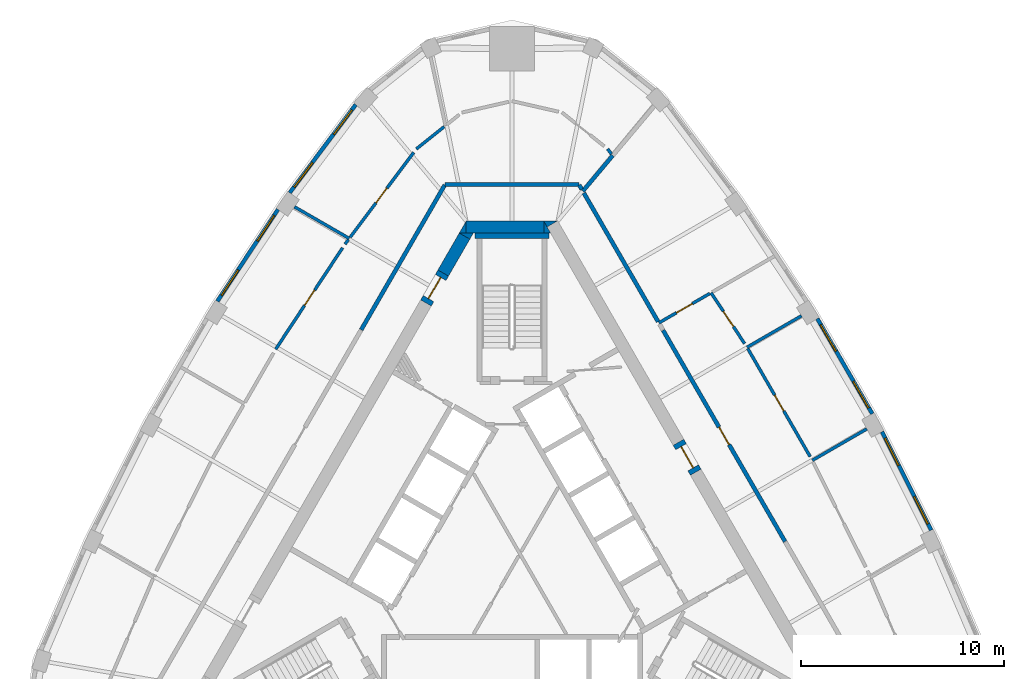
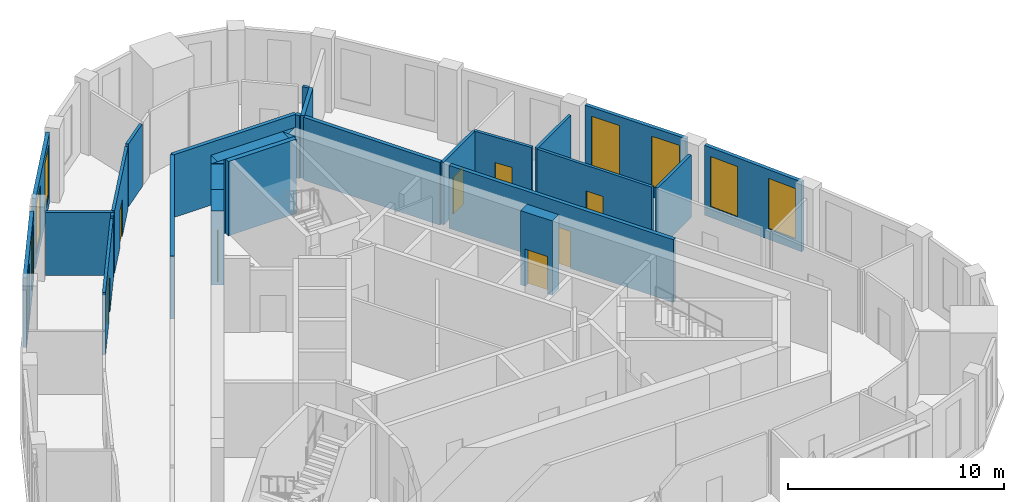
# One storey, part 8 of 10: 30 walls, 8 doors, 8 windows, 16 openings.
"""IFC4 building model written with IfcOpenShell, lengths in metres."""

from ifc_helpers import new_model, si_unit, direction, frame, frame_2d, origin, place, context, subcontext, project, spatial, polyline, rectangle, outline, extrude, material, layer, layer_set, type_object, element, fill, save


model = new_model("IFC4")

# Units and contexts
model_context = context("Model", 3, precision=1e-05, world=origin(), true_north=direction((0.0, 1.0)))
body_context = subcontext(model_context, "Body", "Model", "MODEL_VIEW")
ifc_project = project(units=[si_unit("LENGTHUNIT", "METRE"), si_unit("AREAUNIT", "SQUARE_METRE"), si_unit("VOLUMEUNIT", "CUBIC_METRE"), si_unit("PLANEANGLEUNIT", "RADIAN"), si_unit("MASSUNIT", "GRAM", prefix="KILO")], contexts=[model_context])

# Site, building, storey
site_placement = place(None, origin())
site = spatial("IfcSite", under=ifc_project, at=site_placement, CompositionType="ELEMENT")
building_placement = place(site_placement, origin())
building = spatial("IfcBuilding", under=site, at=building_placement, Name="Mestral Congress Tower", CompositionType="ELEMENT")
storey_placement = place(building_placement, frame((0.0, 0.0, 271.199951171875)))
storey = spatial("IfcBuildingStorey", under=building, at=storey_placement, Name="L63", CompositionType="ELEMENT", Elevation=271.199951171875)

# Walls
ifc_material_1 = material(Name="Concrete C60/75", Category="concrete")
ifc_layer_1 = layer(ifc_material_1, 0.60009765625)
ifc_layer_set_1 = layer_set([ifc_layer_1], Name="Concrete C60/75")
wall_type_1 = type_object("IfcWallType", Name="Core wall RC 600", PredefinedType="SOLIDWALL", material=ifc_layer_set_1)
placement = place(storey_placement, origin())
element("IfcWall", 1, at=placement, inside=storey, type_object=wall_type_1, Name="L63 core wall", PredefinedType="SOLIDWALL", context=body_context, shape_type="SweptSolid", body=[
    extrude(outline(polyline([(1.558837890625, 16.60009765625), (2.23486328125, 16.60009765625), (1.727783203125, 16.307373046875), (1.558837890625, 16.60009765625)])), origin(), (0.0, 0.0, 1.0), 4.199951171875),
])
wall_2_placement = place(storey_placement, frame((-2.258056640625, 16.300048828125, 0.0), z_axis=(0.0, 0.0, 1.0), x_axis=(1.0, 0.0, 0.0)))
element("IfcWall", 2, at=wall_2_placement, inside=storey, type_object=wall_type_1, Name="L63 core wall", PredefinedType="SOLIDWALL", context=body_context, shape_type="SweptSolid", body=[
    extrude(rectangle(XDim=3.8232421875, YDim=0.60009765625, at=frame_2d((1.91162109375, 0.0))), origin(), (0.0, 0.0, 1.0), 4.199951171875),
])
element("IfcWall", 3, at=placement, inside=storey, type_object=wall_type_1, Name="L63 core wall", PredefinedType="SOLIDWALL", context=body_context, shape_type="SweptSolid", body=[
    extrude(outline(polyline([(1.9052734375, 16.0), (1.5673828125, 16.0), (1.5673828125, 16.58544921875), (1.9052734375, 16.0)])), origin(), (0.0, 0.0, 1.0), 4.199951171875),
])
element("IfcWall", 4, at=placement, inside=storey, type_object=wall_type_1, Name="L63 core wall", PredefinedType="SOLIDWALL", context=body_context, shape_type="SweptSolid", body=[
    extrude(outline(polyline([(-2.59814453125, 16.0), (-2.260009765625, 16.58544921875), (-2.260009765625, 16.0), (-2.59814453125, 16.0)])), origin(), (0.0, 0.0, 1.0), 4.199951171875),
])
wall_5_placement = place(storey_placement, frame((-2.335205078125, 15.85546875, 0.0), z_axis=(0.0, 0.0, 1.0), x_axis=(-0.499980971027, -0.866036389889, 0.0)))
element("IfcWall", 5, at=wall_5_placement, inside=storey, type_object=wall_type_1, Name="L63 core wall", PredefinedType="SOLIDWALL", context=body_context, shape_type="SweptSolid", body=[
    extrude(rectangle(XDim=2.09814453125, YDim=0.60009765625, at=frame_2d((1.049072265625, 0.0))), origin(), (0.0, 0.0, 1.0), 4.199951171875),
])
element("IfcWall", 6, at=placement, inside=storey, type_object=wall_type_1, Name="L63 core wall", PredefinedType="SOLIDWALL", context=body_context, shape_type="SweptSolid", body=[
    extrude(outline(polyline([(-1.9052734375, 16.0), (-2.07421875, 15.707275390625), (-2.581298828125, 16.0), (-1.9052734375, 16.0)])), origin(), (0.0, 0.0, 1.0), 4.199951171875),
])

# Wall, opening, door
wall_7_placement = place(storey_placement, frame((-4.234375, 12.56591796875, 0.0), z_axis=(0.0, 0.0, 1.0), x_axis=(0.500000056704, 0.866025371046, 0.0)))
wall_7 = element("IfcWall", 7, at=wall_7_placement, inside=storey, type_object=wall_type_1, Name="L63 door wall", PredefinedType="SOLIDWALL", context=body_context, shape_type="SweptSolid", body=[
    extrude(rectangle(XDim=1.7001953125, YDim=0.60009765625, at=frame_2d((0.85009765625, 0.0))), origin(), (0.0, 0.0, 1.0), 4.199951171875),
])
opening_1_placement = place(wall_7_placement, frame((0.25, 0.0, 0.0)))
opening_1 = element("IfcOpeningElement", 8, at=opening_1_placement, cuts=wall_7, Name="Opening XD2", PredefinedType="OPENING", context=body_context, shape_type="SweptSolid", body=[
    extrude(rectangle(XDim=1.199951171875, YDim=2.10009765625, at=frame_2d((0.60009765625, 1.050048828125))), frame((0.0, 0.31005859375, 0.0), z_axis=(0.0, -1.0, 0.0), x_axis=(1.0, 0.0, 0.0)), (0.0, 0.0, 1.0), 0.6201171875),
])
ifc_material_2 = material(Name="Fire-rated steel door set", Category="steel")
door_type_1 = type_object("IfcDoorType", Name="Core door XD 1200x2100", OperationType="SINGLE_SWING_LEFT", PredefinedType="DOOR", material=ifc_material_2)
door_1_placement = place(opening_1_placement, origin())
door_1 = element("IfcDoor", 9, at=door_1_placement, inside=storey, type_object=door_type_1, Name="Door XD2", OperationType="SINGLE_SWING_LEFT", OverallHeight=2.10009765625, OverallWidth=1.199951171875, PredefinedType="DOOR", context=body_context, shape_type="SweptSolid", body=[
    extrude(rectangle(XDim=1.199951171875, YDim=2.10009765625, at=frame_2d((0.60009765625, 1.050048828125))), frame((0.0, 0.02490234375, 0.0), z_axis=(0.0, -1.0, 0.0), x_axis=(1.0, 0.0, 0.0)), (0.0, 0.0, 1.0), 0.050048828125),
])
fill(opening_1, door_1)

wall_8_placement = place(storey_placement, frame((8.19189453125, 5.711181640625, 0.0), z_axis=(0.0, 0.0, 1.0), x_axis=(0.500062241894, -0.865989465428, 0.0)))
wall_8 = element("IfcWall", 10, at=wall_8_placement, inside=storey, type_object=wall_type_1, Name="L63 door wall", PredefinedType="SOLIDWALL", context=body_context, shape_type="SweptSolid", body=[
    extrude(rectangle(XDim=1.699951171875, YDim=0.60009765625, at=frame_2d((0.85009765625, 0.0))), origin(), (0.0, 0.0, 1.0), 4.199951171875),
])
opening_2_placement = place(wall_8_placement, frame((0.25, 0.0, 0.0)))
opening_2 = element("IfcOpeningElement", 11, at=opening_2_placement, cuts=wall_8, Name="Opening XDL", PredefinedType="OPENING", context=body_context, shape_type="SweptSolid", body=[
    extrude(rectangle(XDim=1.199951171875, YDim=2.10009765625, at=frame_2d((0.60009765625, 1.050048828125))), frame((0.0, 0.31005859375, 0.0), z_axis=(0.0, -1.0, 0.0), x_axis=(1.0, 0.0, 0.0)), (0.0, 0.0, 1.0), 0.6201171875),
])
door_2_placement = place(opening_2_placement, origin())
door_2 = element("IfcDoor", 12, at=door_2_placement, inside=storey, type_object=door_type_1, Name="Door XDL", OperationType="SINGLE_SWING_LEFT", OverallHeight=2.10009765625, OverallWidth=1.199951171875, PredefinedType="DOOR", context=body_context, shape_type="SweptSolid", body=[
    extrude(rectangle(XDim=1.199951171875, YDim=2.10009765625, at=frame_2d((0.60009765625, 1.050048828125))), frame((0.0, 0.02490234375, 0.0), z_axis=(0.0, -1.0, 0.0), x_axis=(1.0, 0.0, 0.0)), (0.0, 0.0, 1.0), 0.050048828125),
])
fill(opening_2, door_2)

# Wall, openings, windows
ifc_material_3 = material(Name="Precast concrete C40/50 with limestone facing", Category="masonry")
ifc_layer_2 = layer(ifc_material_3, 0.18994140625)
ifc_layer_set_2 = layer_set([ifc_layer_2], Name="Precast concrete C40/50 with limestone facing")
wall_type_2 = type_object("IfcWallType", Name="Facade stone wall 190", PredefinedType="SOLIDWALL", material=ifc_layer_set_2)
wall_9_placement = place(storey_placement, frame((20.625, 1.39208984375, 0.0), z_axis=(0.0, 0.0, 1.0), x_axis=(-0.447484531401, 0.894291671747, 0.0)))
wall_9 = element("IfcWall", 13, at=wall_9_placement, inside=storey, type_object=wall_type_2, Name="Facade wall F1-01", PredefinedType="SOLIDWALL", context=body_context, shape_type="SweptSolid", body=[
    extrude(rectangle(XDim=5.40625, YDim=0.18994140625, at=frame_2d((2.703125, 0.0))), origin(), (0.0, 0.0, 1.0), 3.949951171875),
])
opening_3_placement = place(wall_9_placement, frame((0.346435546875, 0.0, 0.60009765625)))
opening_3 = element("IfcOpeningElement", 14, at=opening_3_placement, cuts=wall_9, Name="Opening W6", PredefinedType="OPENING", context=body_context, shape_type="SweptSolid", body=[
    extrude(rectangle(XDim=1.5, YDim=2.85009765625, at=frame_2d((0.75, 1.425048828125))), frame((0.0, 0.10498046875, 0.0), z_axis=(0.0, -1.0, 0.0), x_axis=(1.0, 0.0, 0.0)), (0.0, 0.0, 1.0), 0.2099609375),
])
opening_4_placement = place(wall_9_placement, frame((3.559326171875, 0.0, 0.60009765625)))
opening_4 = element("IfcOpeningElement", 15, at=opening_4_placement, cuts=wall_9, Name="Opening W6", PredefinedType="OPENING", context=body_context, shape_type="SweptSolid", body=[
    extrude(rectangle(XDim=1.5, YDim=2.85009765625, at=frame_2d((0.75, 1.425048828125))), frame((0.0, 0.10498046875, 0.0), z_axis=(0.0, -1.0, 0.0), x_axis=(1.0, 0.0, 0.0)), (0.0, 0.0, 1.0), 0.2099609375),
])
ifc_material_4 = material(Name="Clear low-emissivity double glazing", Category="glass")
window_type = type_object("IfcWindowType", Name="Facade punched window 1500 x 2850 sill 600", PartitioningType="SINGLE_PANEL", PredefinedType="WINDOW", material=ifc_material_4)
window_1_placement = place(opening_3_placement, origin())
window_1 = element("IfcWindow", 16, at=window_1_placement, inside=storey, type_object=window_type, Name="Window F1-01a", OverallHeight=2.85009765625, OverallWidth=1.5, PartitioningType="SINGLE_PANEL", PredefinedType="WINDOW", context=body_context, shape_type="SweptSolid", body=[
    extrude(rectangle(XDim=1.5, YDim=2.85009765625, at=frame_2d((0.75, 1.425048828125))), frame((0.0, 0.044921875, 0.0), z_axis=(0.0, -1.0, 0.0), x_axis=(1.0, 0.0, 0.0)), (0.0, 0.0, 1.0), 0.06005859375),
])
fill(opening_3, window_1)
window_2_placement = place(opening_4_placement, origin())
window_2 = element("IfcWindow", 17, at=window_2_placement, inside=storey, type_object=window_type, Name="Window F1-01b", OverallHeight=2.85009765625, OverallWidth=1.5, PartitioningType="SINGLE_PANEL", PredefinedType="WINDOW", context=body_context, shape_type="SweptSolid", body=[
    extrude(rectangle(XDim=1.5, YDim=2.85009765625, at=frame_2d((0.75, 1.425048828125))), frame((0.0, 0.044921875, 0.0), z_axis=(0.0, -1.0, 0.0), x_axis=(1.0, 0.0, 0.0)), (0.0, 0.0, 1.0), 0.06005859375),
])
fill(opening_4, window_2)

wall_10_placement = place(storey_placement, frame((17.728271484375, 7.1142578125, 0.0), z_axis=(0.0, 0.0, 1.0), x_axis=(-0.500024767483, 0.866011103799, 0.0)))
wall_10 = element("IfcWall", 18, at=wall_10_placement, inside=storey, type_object=wall_type_2, Name="Facade wall F1-02", PredefinedType="SOLIDWALL", context=body_context, shape_type="SweptSolid", body=[
    extrude(rectangle(XDim=5.406005859375, YDim=0.18994140625, at=frame_2d((2.703125, 0.0))), origin(), (0.0, 0.0, 1.0), 3.949951171875),
])
opening_5_placement = place(wall_10_placement, frame((0.346435546875, 0.0, 0.60009765625)))
opening_5 = element("IfcOpeningElement", 19, at=opening_5_placement, cuts=wall_10, Name="Opening W6", PredefinedType="OPENING", context=body_context, shape_type="SweptSolid", body=[
    extrude(rectangle(XDim=1.5, YDim=2.85009765625, at=frame_2d((0.75, 1.425048828125))), frame((0.0, 0.10498046875, 0.0), z_axis=(0.0, -1.0, 0.0), x_axis=(1.0, 0.0, 0.0)), (0.0, 0.0, 1.0), 0.2099609375),
])
opening_6_placement = place(wall_10_placement, frame((3.5595703125, 0.0, 0.60009765625)))
opening_6 = element("IfcOpeningElement", 20, at=opening_6_placement, cuts=wall_10, Name="Opening W6", PredefinedType="OPENING", context=body_context, shape_type="SweptSolid", body=[
    extrude(rectangle(XDim=1.5, YDim=2.85009765625, at=frame_2d((0.75, 1.425048828125))), frame((0.0, 0.10498046875, 0.0), z_axis=(0.0, -1.0, 0.0), x_axis=(1.0, 0.0, 0.0)), (0.0, 0.0, 1.0), 0.2099609375),
])
window_3_placement = place(opening_5_placement, origin())
window_3 = element("IfcWindow", 21, at=window_3_placement, inside=storey, type_object=window_type, Name="Window F1-02a", OverallHeight=2.85009765625, OverallWidth=1.5, PartitioningType="SINGLE_PANEL", PredefinedType="WINDOW", context=body_context, shape_type="SweptSolid", body=[
    extrude(rectangle(XDim=1.5, YDim=2.85009765625, at=frame_2d((0.75, 1.425048828125))), frame((0.0, 0.044921875, 0.0), z_axis=(0.0, -1.0, 0.0), x_axis=(1.0, 0.0, 0.0)), (0.0, 0.0, 1.0), 0.06005859375),
])
fill(opening_5, window_3)
window_4_placement = place(opening_6_placement, origin())
window_4 = element("IfcWindow", 22, at=window_4_placement, inside=storey, type_object=window_type, Name="Window F1-02b", OverallHeight=2.85009765625, OverallWidth=1.5, PartitioningType="SINGLE_PANEL", PredefinedType="WINDOW", context=body_context, shape_type="SweptSolid", body=[
    extrude(rectangle(XDim=1.5, YDim=2.85009765625, at=frame_2d((0.75, 1.425048828125))), frame((0.0, 0.044921875, 0.0), z_axis=(0.0, -1.0, 0.0), x_axis=(1.0, 0.0, 0.0)), (0.0, 0.0, 1.0), 0.06005859375),
])
fill(opening_6, window_4)

wall_11_placement = place(storey_placement, frame((-7.691650390625, 22.32373046875, 0.0), z_axis=(0.0, 0.0, 1.0), x_axis=(-0.599559865294, -0.800329911929, 0.0)))
wall_11 = element("IfcWall", 23, at=wall_11_placement, inside=storey, type_object=wall_type_2, Name="Facade wall F2-00", PredefinedType="SOLIDWALL", context=body_context, shape_type="SweptSolid", body=[
    extrude(rectangle(XDim=5.4150390625, YDim=0.18994140625, at=frame_2d((2.70751953125, 0.0))), origin(), (0.0, 0.0, 1.0), 3.949951171875),
])
opening_7_placement = place(wall_11_placement, frame((0.322509765625, 0.0, 0.60009765625)))
opening_7 = element("IfcOpeningElement", 24, at=opening_7_placement, cuts=wall_11, Name="Opening W6", PredefinedType="OPENING", context=body_context, shape_type="SweptSolid", body=[
    extrude(rectangle(XDim=1.5, YDim=2.85009765625, at=frame_2d((0.75, 1.425048828125))), frame((0.0, 0.10498046875, 0.0), z_axis=(0.0, -1.0, 0.0), x_axis=(1.0, 0.0, 0.0)), (0.0, 0.0, 1.0), 0.2099609375),
])
opening_8_placement = place(wall_11_placement, frame((3.5576171875, 0.0, 0.60009765625)))
opening_8 = element("IfcOpeningElement", 25, at=opening_8_placement, cuts=wall_11, Name="Opening W6", PredefinedType="OPENING", context=body_context, shape_type="SweptSolid", body=[
    extrude(rectangle(XDim=1.5, YDim=2.85009765625, at=frame_2d((0.75, 1.425048828125))), frame((0.0, 0.10498046875, 0.0), z_axis=(0.0, -1.0, 0.0), x_axis=(1.0, 0.0, 0.0)), (0.0, 0.0, 1.0), 0.2099609375),
])
window_5_placement = place(opening_7_placement, origin())
window_5 = element("IfcWindow", 26, at=window_5_placement, inside=storey, type_object=window_type, Name="Window F2-00a", OverallHeight=2.85009765625, OverallWidth=1.5, PartitioningType="SINGLE_PANEL", PredefinedType="WINDOW", context=body_context, shape_type="SweptSolid", body=[
    extrude(rectangle(XDim=1.5, YDim=2.85009765625, at=frame_2d((0.75, 1.425048828125))), frame((0.0, 0.044921875, 0.0), z_axis=(0.0, -1.0, 0.0), x_axis=(1.0, 0.0, 0.0)), (0.0, 0.0, 1.0), 0.06005859375),
])
fill(opening_7, window_5)
window_6_placement = place(opening_8_placement, origin())
window_6 = element("IfcWindow", 27, at=window_6_placement, inside=storey, type_object=window_type, Name="Window F2-00b", OverallHeight=2.85009765625, OverallWidth=1.5, PartitioningType="SINGLE_PANEL", PredefinedType="WINDOW", context=body_context, shape_type="SweptSolid", body=[
    extrude(rectangle(XDim=1.5, YDim=2.85009765625, at=frame_2d((0.75, 1.425048828125))), frame((0.0, 0.044921875, 0.0), z_axis=(0.0, -1.0, 0.0), x_axis=(1.0, 0.0, 0.0)), (0.0, 0.0, 1.0), 0.06005859375),
])
fill(opening_8, window_6)

wall_12_placement = place(storey_placement, frame((-11.518310546875, 17.16552734375, 0.0), z_axis=(0.0, 0.0, 1.0), x_axis=(-0.550744054781, -0.83467417962, 0.0)))
wall_12 = element("IfcWall", 28, at=wall_12_placement, inside=storey, type_object=wall_type_2, Name="Facade wall F2-01", PredefinedType="SOLIDWALL", context=body_context, shape_type="SweptSolid", body=[
    extrude(rectangle(XDim=5.406005859375, YDim=0.18994140625, at=frame_2d((2.703125, 0.0))), origin(), (0.0, 0.0, 1.0), 3.949951171875),
])
opening_9_placement = place(wall_12_placement, frame((0.346435546875, 0.0, 0.60009765625)))
opening_9 = element("IfcOpeningElement", 29, at=opening_9_placement, cuts=wall_12, Name="Opening W6", PredefinedType="OPENING", context=body_context, shape_type="SweptSolid", body=[
    extrude(rectangle(XDim=1.5, YDim=2.85009765625, at=frame_2d((0.75, 1.425048828125))), frame((0.0, 0.10498046875, 0.0), z_axis=(0.0, -1.0, 0.0), x_axis=(1.0, 0.0, 0.0)), (0.0, 0.0, 1.0), 0.2099609375),
])
opening_10_placement = place(wall_12_placement, frame((3.559326171875, 0.0, 0.60009765625)))
opening_10 = element("IfcOpeningElement", 30, at=opening_10_placement, cuts=wall_12, Name="Opening W6", PredefinedType="OPENING", context=body_context, shape_type="SweptSolid", body=[
    extrude(rectangle(XDim=1.5, YDim=2.85009765625, at=frame_2d((0.75, 1.425048828125))), frame((0.0, 0.10498046875, 0.0), z_axis=(0.0, -1.0, 0.0), x_axis=(1.0, 0.0, 0.0)), (0.0, 0.0, 1.0), 0.2099609375),
])
window_7_placement = place(opening_9_placement, origin())
window_7 = element("IfcWindow", 31, at=window_7_placement, inside=storey, type_object=window_type, Name="Window F2-01a", OverallHeight=2.85009765625, OverallWidth=1.5, PartitioningType="SINGLE_PANEL", PredefinedType="WINDOW", context=body_context, shape_type="SweptSolid", body=[
    extrude(rectangle(XDim=1.5, YDim=2.85009765625, at=frame_2d((0.75, 1.425048828125))), frame((0.0, 0.044921875, 0.0), z_axis=(0.0, -1.0, 0.0), x_axis=(1.0, 0.0, 0.0)), (0.0, 0.0, 1.0), 0.06005859375),
])
fill(opening_9, window_7)
window_8_placement = place(opening_10_placement, origin())
window_8 = element("IfcWindow", 32, at=window_8_placement, inside=storey, type_object=window_type, Name="Window F2-01b", OverallHeight=2.85009765625, OverallWidth=1.5, PartitioningType="SINGLE_PANEL", PredefinedType="WINDOW", context=body_context, shape_type="SweptSolid", body=[
    extrude(rectangle(XDim=1.5, YDim=2.85009765625, at=frame_2d((0.75, 1.425048828125))), frame((0.0, 0.044921875, 0.0), z_axis=(0.0, -1.0, 0.0), x_axis=(1.0, 0.0, 0.0)), (0.0, 0.0, 1.0), 0.06005859375),
])
fill(opening_10, window_8)

# Walls
ifc_material_5 = material(Name="Plasterboard partition on steel studs", Category="steel")
ifc_layer_3 = layer(ifc_material_5, 0.14990234375)
ifc_layer_set_3 = layer_set([ifc_layer_3], Name="Plasterboard partition on steel studs")
wall_type_3 = type_object("IfcWallType", Name="Office partition 150", PredefinedType="PARTITIONING", material=ifc_layer_set_3)
for number, where, z_axis, x_axis, name in (
    (33, (14.77734375, 4.821533203125, 0.0), (0.0, 0.0, 1.0), (0.865992557167, 0.500056887695, 0.0), "Partition"),
    (34, (11.564208984375, 10.38671875, 0.0), (0.0, 0.0, 1.0), (0.86604641216, 0.499963610661, 0.0), "Partition"),
):
    element("IfcWall", number, at=place(storey_placement, frame(where, z_axis=z_axis, x_axis=x_axis)), inside=storey, type_object=wall_type_3, Name=name, PredefinedType="PARTITIONING", context=body_context, shape_type="SweptSolid", body=[
        extrude(rectangle(XDim=3.096435546875, YDim=0.14990234375, at=frame_2d((1.54833984375, 0.0))), origin(), (0.0, 0.0, 1.0), 3.550048828125),
    ])

# Wall, opening, door
wall_13_placement = place(storey_placement, frame((11.601806640625, 10.32177734375, 0.0), z_axis=(0.0, 0.0, 1.0), x_axis=(0.499989914735, -0.866031226437, 0.0)))
wall_13 = element("IfcWall", 35, at=wall_13_placement, inside=storey, type_object=wall_type_3, Name="Partition", PredefinedType="PARTITIONING", context=body_context, shape_type="SweptSolid", body=[
    extrude(rectangle(XDim=6.136962890625, YDim=0.14990234375, at=frame_2d((3.068359375, 0.0))), origin(), (0.0, 0.0, 1.0), 3.550048828125),
])
opening_11_placement = place(wall_13_placement, frame((2.63671875, 0.0, 0.0)))
opening_11 = element("IfcOpeningElement", 36, at=opening_11_placement, cuts=wall_13, Name="Opening O11-009", PredefinedType="OPENING", context=body_context, shape_type="SweptSolid", body=[
    extrude(rectangle(XDim=0.89990234375, YDim=2.10009765625, at=frame_2d((0.449951171875, 1.050048828125))), frame((0.0, 0.0849609375, 0.0), z_axis=(0.0, -1.0, 0.0), x_axis=(1.0, 0.0, 0.0)), (0.0, 0.0, 1.0), 0.169921875),
])
ifc_material_6 = material(Name="Timber door set", Category="wood")
door_type_2 = type_object("IfcDoorType", Name="Office door 900x2100", OperationType="SINGLE_SWING_LEFT", PredefinedType="DOOR", material=ifc_material_6)
door_3_placement = place(opening_11_placement, origin())
door_3 = element("IfcDoor", 37, at=door_3_placement, inside=storey, type_object=door_type_2, Name="Door O11-009", OperationType="SINGLE_SWING_RIGHT", OverallHeight=2.10009765625, OverallWidth=0.89990234375, PredefinedType="DOOR", context=body_context, shape_type="SweptSolid", body=[
    extrude(rectangle(XDim=0.89990234375, YDim=2.10009765625, at=frame_2d((0.449951171875, 1.050048828125))), frame((0.0, 0.02490234375, 0.0), z_axis=(0.0, -1.0, 0.0), x_axis=(1.0, 0.0, 0.0)), (0.0, 0.0, 1.0), 0.050048828125),
])
fill(opening_11, door_3)

wall_14_placement = place(storey_placement, frame((9.794677734375, 13.068359375, 0.0), z_axis=(0.0, 0.0, 1.0), x_axis=(0.550767347659, -0.834658809786, 0.0)))
wall_14 = element("IfcWall", 38, at=wall_14_placement, inside=storey, type_object=wall_type_3, Name="Partition", PredefinedType="PARTITIONING", context=body_context, shape_type="SweptSolid", body=[
    extrude(rectangle(XDim=2.998779296875, YDim=0.14990234375, at=frame_2d((1.49951171875, 0.0))), origin(), (0.0, 0.0, 1.0), 3.550048828125),
])
opening_12_placement = place(wall_14_placement, frame((1.0986328125, 0.0, 0.0)))
opening_12 = element("IfcOpeningElement", 39, at=opening_12_placement, cuts=wall_14, Name="Opening O11-010", PredefinedType="OPENING", context=body_context, shape_type="SweptSolid", body=[
    extrude(rectangle(XDim=0.89990234375, YDim=2.10009765625, at=frame_2d((0.449951171875, 1.050048828125))), frame((0.0, 0.0849609375, 0.0), z_axis=(0.0, -1.0, 0.0), x_axis=(1.0, 0.0, 0.0)), (0.0, 0.0, 1.0), 0.169921875),
])
door_4_placement = place(opening_12_placement, origin())
door_4 = element("IfcDoor", 40, at=door_4_placement, inside=storey, type_object=door_type_2, Name="Door O11-010", OperationType="SINGLE_SWING_RIGHT", OverallHeight=2.10009765625, OverallWidth=0.89990234375, PredefinedType="DOOR", context=body_context, shape_type="SweptSolid", body=[
    extrude(rectangle(XDim=0.89990234375, YDim=2.10009765625, at=frame_2d((0.449951171875, 1.050048828125))), frame((0.0, 0.02490234375, 0.0), z_axis=(0.0, -1.0, 0.0), x_axis=(1.0, 0.0, 0.0)), (0.0, 0.0, 1.0), 0.050048828125),
])
fill(opening_12, door_4)

wall_15_placement = place(storey_placement, frame((7.2255859375, 11.585205078125, 0.0), z_axis=(0.0, 0.0, 1.0), x_axis=(0.866021079084, 0.500007490527, 0.0)))
wall_15 = element("IfcWall", 41, at=wall_15_placement, inside=storey, type_object=wall_type_3, Name="Partition", PredefinedType="PARTITIONING", context=body_context, shape_type="SweptSolid", body=[
    extrude(rectangle(XDim=2.8916015625, YDim=0.14990234375, at=frame_2d((1.44580078125, 0.0))), origin(), (0.0, 0.0, 1.0), 3.550048828125),
])
opening_13_placement = place(wall_15_placement, frame((1.0, 0.0, 0.0)))
opening_13 = element("IfcOpeningElement", 42, at=opening_13_placement, cuts=wall_15, Name="Opening O11-012", PredefinedType="OPENING", context=body_context, shape_type="SweptSolid", body=[
    extrude(rectangle(XDim=0.89990234375, YDim=2.10009765625, at=frame_2d((0.449951171875, 1.050048828125))), frame((0.0, 0.0849609375, 0.0), z_axis=(0.0, -1.0, 0.0), x_axis=(1.0, 0.0, 0.0)), (0.0, 0.0, 1.0), 0.169921875),
])
door_5_placement = place(opening_13_placement, origin())
door_5 = element("IfcDoor", 43, at=door_5_placement, inside=storey, type_object=door_type_2, Name="Door O11-012", OperationType="SINGLE_SWING_RIGHT", OverallHeight=2.10009765625, OverallWidth=0.89990234375, PredefinedType="DOOR", context=body_context, shape_type="SweptSolid", body=[
    extrude(rectangle(XDim=0.89990234375, YDim=2.10009765625, at=frame_2d((0.449951171875, 1.050048828125))), frame((0.0, 0.02490234375, 0.0), z_axis=(0.0, -1.0, 0.0), x_axis=(1.0, 0.0, 0.0)), (0.0, 0.0, 1.0), 0.050048828125),
])
fill(opening_13, door_5)

# Walls
wall_16_placement = place(storey_placement, frame((4.89111328125, 19.8994140625, 0.0), z_axis=(0.0, 0.0, 1.0), x_axis=(-0.6, 0.8, 0.0)))
element("IfcWall", 44, at=wall_16_placement, inside=storey, type_object=wall_type_3, Name="Partition", PredefinedType="PARTITIONING", context=body_context, shape_type="SweptSolid", body=[
    extrude(rectangle(XDim=0.308837890625, YDim=0.14990234375, at=frame_2d((0.154296875, 0.0))), origin(), (0.0, 0.0, 1.0), 3.550048828125),
])
wall_17_placement = place(storey_placement, frame((-8.007080078125, 15.73974609375, 0.0), z_axis=(0.0, 0.0, 1.0), x_axis=(-0.866044607523, 0.499966736674, 0.0)))
element("IfcWall", 45, at=wall_17_placement, inside=storey, type_object=wall_type_3, Name="Partition", PredefinedType="PARTITIONING", context=body_context, shape_type="SweptSolid", body=[
    extrude(rectangle(XDim=3.114501953125, YDim=0.14990234375, at=frame_2d((1.55712890625, 0.0))), origin(), (0.0, 0.0, 1.0), 3.550048828125),
])
wall_18_placement = place(storey_placement, frame((-3.337158203125, 21.239013671875, 0.0), z_axis=(0.0, 0.0, 1.0), x_axis=(-0.781534814884, -0.62386162979, 0.0)))
element("IfcWall", 46, at=wall_18_placement, inside=storey, type_object=wall_type_3, Name="Partition", PredefinedType="PARTITIONING", context=body_context, shape_type="SweptSolid", body=[
    extrude(rectangle(XDim=1.751220703125, YDim=0.14990234375, at=frame_2d((0.87548828125, 0.0))), origin(), (0.0, 0.0, 1.0), 3.550048828125),
])

# Wall, opening, door
wall_19_placement = place(storey_placement, frame((-7.9619140625, 15.800048828125, 0.0), z_axis=(0.0, 0.0, 1.0), x_axis=(0.599528135832, 0.800353680785, 0.0)))
wall_19 = element("IfcWall", 47, at=wall_19_placement, inside=storey, type_object=wall_type_3, Name="Partition", PredefinedType="PARTITIONING", context=body_context, shape_type="SweptSolid", body=[
    extrude(rectangle(XDim=5.216552734375, YDim=0.14990234375, at=frame_2d((2.6083984375, 0.0))), origin(), (0.0, 0.0, 1.0), 3.550048828125),
])
opening_14_placement = place(wall_19_placement, frame((2.116455078125, 0.0, 0.0)))
opening_14 = element("IfcOpeningElement", 48, at=opening_14_placement, cuts=wall_19, Name="Opening O11-014", PredefinedType="OPENING", context=body_context, shape_type="SweptSolid", body=[
    extrude(rectangle(XDim=0.89990234375, YDim=2.10009765625, at=frame_2d((0.449951171875, 1.050048828125))), frame((0.0, 0.0849609375, 0.0), z_axis=(0.0, -1.0, 0.0), x_axis=(1.0, 0.0, 0.0)), (0.0, 0.0, 1.0), 0.169921875),
])
door_6_placement = place(opening_14_placement, origin())
door_6 = element("IfcDoor", 49, at=door_6_placement, inside=storey, type_object=door_type_2, Name="Door O11-014", OperationType="SINGLE_SWING_LEFT", OverallHeight=2.10009765625, OverallWidth=0.89990234375, PredefinedType="DOOR", context=body_context, shape_type="SweptSolid", body=[
    extrude(rectangle(XDim=0.89990234375, YDim=2.10009765625, at=frame_2d((0.449951171875, 1.050048828125))), frame((0.0, 0.02490234375, 0.0), z_axis=(0.0, -1.0, 0.0), x_axis=(1.0, 0.0, 0.0)), (0.0, 0.0, 1.0), 0.050048828125),
])
fill(opening_14, door_6)

# Wall
wall_20_placement = place(storey_placement, frame((-8.052490234375, 15.67919921875, 0.0), z_axis=(0.0, 0.0, 1.0), x_axis=(-0.599004157744, -0.800745914136, 0.0)))
element("IfcWall", 50, at=wall_20_placement, inside=storey, type_object=wall_type_3, Name="Partition", PredefinedType="PARTITIONING", context=body_context, shape_type="SweptSolid", body=[
    extrude(rectangle(XDim=0.274658203125, YDim=0.14990234375, at=frame_2d((0.13720703125, 0.0))), origin(), (0.0, 0.0, 1.0), 3.550048828125),
])

# Wall, opening, door
wall_21_placement = place(storey_placement, frame((-11.62841796875, 10.28955078125, 0.0), z_axis=(0.0, 0.0, 1.0), x_axis=(0.55074607557, 0.834672846236, 0.0)))
wall_21 = element("IfcWall", 51, at=wall_21_placement, inside=storey, type_object=wall_type_3, Name="Partition", PredefinedType="PARTITIONING", context=body_context, shape_type="SweptSolid", body=[
    extrude(rectangle(XDim=5.9794921875, YDim=0.14990234375, at=frame_2d((2.98974609375, 0.0))), origin(), (0.0, 0.0, 1.0), 3.550048828125),
])
opening_15_placement = place(wall_21_placement, frame((2.57958984375, 0.0, 0.0)))
opening_15 = element("IfcOpeningElement", 52, at=opening_15_placement, cuts=wall_21, Name="Opening O11-015", PredefinedType="OPENING", context=body_context, shape_type="SweptSolid", body=[
    extrude(rectangle(XDim=0.89990234375, YDim=2.10009765625, at=frame_2d((0.449951171875, 1.050048828125))), frame((0.0, 0.0849609375, 0.0), z_axis=(0.0, -1.0, 0.0), x_axis=(1.0, 0.0, 0.0)), (0.0, 0.0, 1.0), 0.169921875),
])
door_7_placement = place(opening_15_placement, origin())
door_7 = element("IfcDoor", 53, at=door_7_placement, inside=storey, type_object=door_type_2, Name="Door O11-015", OperationType="SINGLE_SWING_RIGHT", OverallHeight=2.10009765625, OverallWidth=0.89990234375, PredefinedType="DOOR", context=body_context, shape_type="SweptSolid", body=[
    extrude(rectangle(XDim=0.89990234375, YDim=2.10009765625, at=frame_2d((0.449951171875, 1.050048828125))), frame((0.0, 0.02490234375, 0.0), z_axis=(0.0, -1.0, 0.0), x_axis=(1.0, 0.0, 0.0)), (0.0, 0.0, 1.0), 0.050048828125),
])
fill(opening_15, door_7)

ifc_material_7 = material(Name="Dense masonry wall, plastered", Category="masonry")
ifc_layer_4 = layer(ifc_material_7, 0.199951171875)
ifc_layer_set_4 = layer_set([ifc_layer_4], Name="Dense masonry wall, plastered")
wall_type_4 = type_object("IfcWallType", Name="Office tenancy wall 200", PredefinedType="PARTITIONING", material=ifc_layer_set_4)
wall_22_placement = place(storey_placement, frame((13.435546875, 0.828857421875, 0.0), z_axis=(0.0, 0.0, 1.0), x_axis=(-0.49999894854, 0.866026010844, 0.0)))
wall_22 = element("IfcWall", 54, at=wall_22_placement, inside=storey, type_object=wall_type_4, Name="Tenancy wall", PredefinedType="PARTITIONING", context=body_context, shape_type="SweptSolid", body=[
    extrude(rectangle(XDim=12.0, YDim=0.199951171875, at=frame_2d((6.0, 0.0))), origin(), (0.0, 0.0, 1.0), 3.550048828125),
])
opening_16_placement = place(wall_22_placement, frame((5.5, 0.0, 0.0)))
opening_16 = element("IfcOpeningElement", 55, at=opening_16_placement, cuts=wall_22, Name="Opening O11-011", PredefinedType="OPENING", context=body_context, shape_type="SweptSolid", body=[
    extrude(rectangle(XDim=1.0, YDim=2.10009765625, at=frame_2d((0.5, 1.050048828125))), frame((0.0, 0.10986328125, 0.0), z_axis=(0.0, -1.0, 0.0), x_axis=(1.0, 0.0, 0.0)), (0.0, 0.0, 1.0), 0.219970703125),
])
ifc_material_8 = material(Name="Fire-rated timber door set", Category="wood")
door_type_3 = type_object("IfcDoorType", Name="Office tenancy entrance door 1000x2100", OperationType="SINGLE_SWING_LEFT", PredefinedType="DOOR", material=ifc_material_8)
door_8_placement = place(opening_16_placement, origin())
door_8 = element("IfcDoor", 56, at=door_8_placement, inside=storey, type_object=door_type_3, Name="Door O11-011", OperationType="SINGLE_SWING_RIGHT", OverallHeight=2.10009765625, OverallWidth=1.0, PredefinedType="DOOR", context=body_context, shape_type="SweptSolid", body=[
    extrude(rectangle(XDim=1.0, YDim=2.10009765625, at=frame_2d((0.5, 1.050048828125))), frame((0.0, 0.02490234375, 0.0), z_axis=(0.0, -1.0, 0.0), x_axis=(1.0, 0.0, 0.0)), (0.0, 0.0, 1.0), 0.050048828125),
])
fill(opening_16, door_8)

# Walls
wall_23_placement = place(storey_placement, frame((3.483154296875, 18.06689453125, 0.0), z_axis=(0.0, 0.0, 1.0), x_axis=(0.642896944312, 0.765952687177, 0.0)))
element("IfcWall", 57, at=wall_23_placement, inside=storey, type_object=wall_type_4, Name="Tenancy wall", PredefinedType="PARTITIONING", context=body_context, shape_type="SweptSolid", body=[
    extrude(rectangle(XDim=2.28955078125, YDim=0.199951171875, at=frame_2d((1.144775390625, 0.0))), origin(), (0.0, 0.0, 1.0), 3.550048828125),
])
wall_24_placement = place(storey_placement, frame((7.18798828125, 11.64990234375, 0.0), z_axis=(0.0, 0.0, 1.0), x_axis=(-0.499989634868, 0.866031388014, 0.0)))
element("IfcWall", 58, at=wall_24_placement, inside=storey, type_object=wall_type_4, Name="Tenancy wall", PredefinedType="PARTITIONING", context=body_context, shape_type="SweptSolid", body=[
    extrude(rectangle(XDim=7.303466796875, YDim=0.199951171875, at=frame_2d((3.65185546875, 0.0))), origin(), (0.0, 0.0, 1.0), 3.550048828125),
])
wall_25_placement = place(storey_placement, frame((3.291015625, 18.39990234375, 0.0), z_axis=(0.0, 0.0, 1.0), x_axis=(-1.0, 0.0, 0.0)))
element("IfcWall", 59, at=wall_25_placement, inside=storey, type_object=wall_type_4, Name="Tenancy wall", PredefinedType="PARTITIONING", context=body_context, shape_type="SweptSolid", body=[
    extrude(rectangle(XDim=6.58203125, YDim=0.199951171875, at=frame_2d((3.291015625, 0.0))), origin(), (0.0, 0.0, 1.0), 3.550048828125),
])
wall_26_placement = place(storey_placement, frame((-3.305908203125, 18.3740234375, 0.0), z_axis=(0.0, 0.0, 1.0), x_axis=(-0.499999798456, -0.866025520146, 0.0)))
element("IfcWall", 60, at=wall_26_placement, inside=storey, type_object=wall_type_4, Name="Tenancy wall", PredefinedType="PARTITIONING", context=body_context, shape_type="SweptSolid", body=[
    extrude(rectangle(XDim=8.2294921875, YDim=0.199951171875, at=frame_2d((4.11474609375, 0.0))), origin(), (0.0, 0.0, 1.0), 3.550048828125),
])
wall_27_placement = place(storey_placement, frame((3.429931640625, 18.1591796875, 0.0), z_axis=(0.0, 0.0, 1.0), x_axis=(-0.499949632511, 0.866054481515, 0.0)))
element("IfcWall", 61, at=wall_27_placement, inside=storey, type_object=wall_type_4, Name="Tenancy wall", PredefinedType="PARTITIONING", context=body_context, shape_type="SweptSolid", body=[
    extrude(rectangle(XDim=0.248046875, YDim=0.199951171875, at=frame_2d((0.1240234375, 0.0))), origin(), (0.0, 0.0, 1.0), 3.550048828125),
])
ifc_layer_5 = layer(ifc_material_1, 0.25)
ifc_layer_set_5 = layer_set([ifc_layer_5], Name="Concrete C60/75")
wall_type_5 = type_object("IfcWallType", Name="Stair wall RC 250", PredefinedType="SOLIDWALL", material=ifc_layer_set_5)
wall_28_placement = place(storey_placement, frame((-1.81689453125, 15.875, 0.0), z_axis=(0.0, 0.0, 1.0), x_axis=(1.0, 0.0, 0.0)))
element("IfcWall", 62, at=wall_28_placement, inside=storey, type_object=wall_type_5, Name="L63 core wall", PredefinedType="SOLIDWALL", context=body_context, shape_type="SweptSolid", body=[
    extrude(rectangle(XDim=3.6337890625, YDim=0.25, at=frame_2d((1.81689453125, 0.0))), origin(), (0.0, 0.0, 1.0), 4.199951171875),
])

save(model, "model.ifc")
